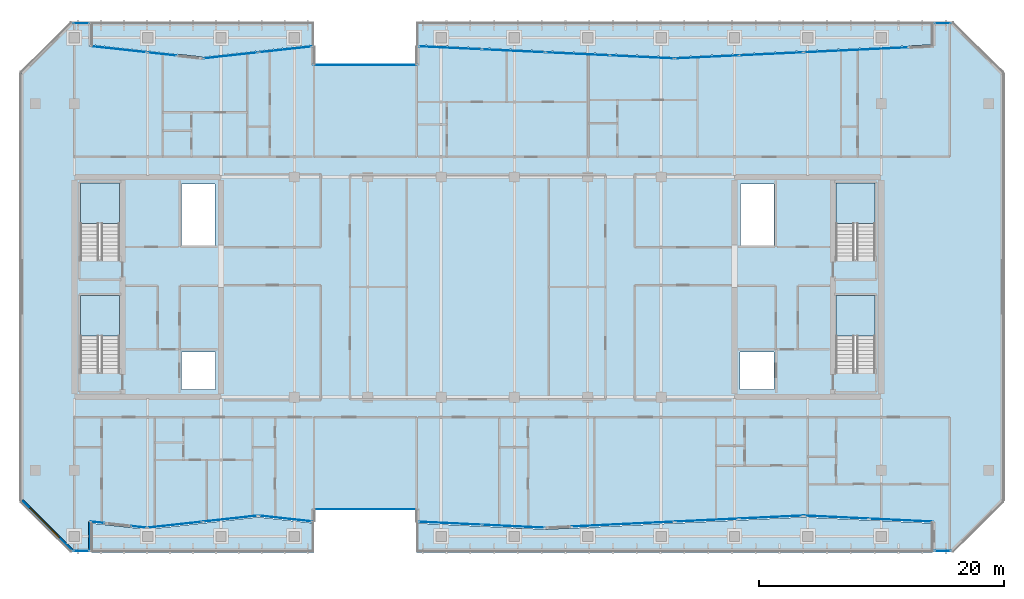
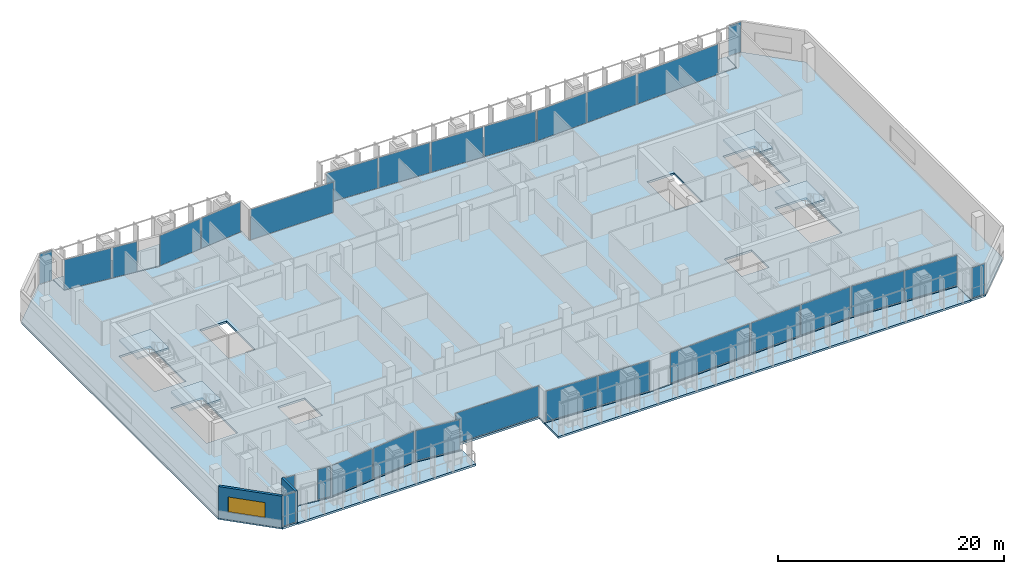
# One storey, part 17 of 28: 29 plates, 9 slabs, 2 walls, 1 window, 1 opening, 27 elements without a shape of their own.
"""IFC4 building model written with IfcOpenShell, lengths in metres."""

from ifc_helpers import new_model, si_unit, direction, frame, frame_2d, origin, origin_2d, place, context, subcontext, project, spatial, polyline, rectangle, outline, extrude, material, layer, layer_set, type_object, element, fill, aggregate, save


model = new_model("IFC4")

# Units and contexts
model_context = context("Model", 3, precision=1e-05, world=origin(), true_north=direction((0.0, 1.0)))
body_context = subcontext(model_context, "Body", "Model", "MODEL_VIEW")
ifc_project = project(units=[si_unit("LENGTHUNIT", "METRE"), si_unit("AREAUNIT", "SQUARE_METRE"), si_unit("VOLUMEUNIT", "CUBIC_METRE"), si_unit("PLANEANGLEUNIT", "RADIAN"), si_unit("MASSUNIT", "GRAM", prefix="KILO")], contexts=[model_context])

# Site, building, storey
site_placement = place(None, origin())
site = spatial("IfcSite", under=ifc_project, at=site_placement, CompositionType="ELEMENT")
building_placement = place(site_placement, origin())
building = spatial("IfcBuilding", under=site, at=building_placement, Name="Tanjung Sevakor Pilgrim Tower", CompositionType="ELEMENT")
storey_placement = place(building_placement, frame((0.0, 0.0, 158.39990234375)))
storey = spatial("IfcBuildingStorey", under=building, at=storey_placement, Name="L44", CompositionType="ELEMENT", Elevation=158.39990234375)

# Stair, slab
ifc_material_1 = material(Name="Concrete C40/50", Category="concrete")
stair_type = type_object("IfcStairType", Name="STAIR-ST-CR150", PredefinedType="HALF_TURN_STAIR", material=ifc_material_1)
stair_1_placement = place(storey_placement, origin())
stair_1 = element("IfcStair", 1, at=stair_1_placement, inside=storey, type_object=stair_type, Name="L44 West Core Exit Stair 1", PredefinedType="HALF_TURN_STAIR")
ifc_material_2 = material(Name="Concrete C40/50", Category="concrete")
ifc_layer_1 = layer(ifc_material_2, 0.199951171875)
ifc_layer_set_1 = layer_set([ifc_layer_1], Name="SL-LAND-200")
slab_type_1 = type_object("IfcSlabType", Name="SL-LAND-200", PredefinedType="LANDING", material=ifc_layer_set_1)
slab_1_placement = place(storey_placement, frame((0.0, 0.0, 1.614990234375)))
slab_1 = element("IfcSlab", 2, at=slab_1_placement, type_object=slab_type_1, Name="TS-W1 landing 1", PredefinedType="LANDING", context=body_context, shape_type="SweptSolid", body=[
    extrude(outline(polyline([(27.699951171875, 29.60009765625), (27.699951171875, 32.89990234375), (24.5, 32.89990234375), (24.5, 29.60009765625), (27.699951171875, 29.60009765625)])), origin(), (0.0, 0.0, 1.0), 0.2001953125),
])
aggregate(stair_1, [slab_1])

stair_2_placement = place(storey_placement, origin())
stair_2 = element("IfcStair", 3, at=stair_2_placement, inside=storey, type_object=stair_type, Name="L44 West Core Exit Stair 2", PredefinedType="HALF_TURN_STAIR")
slab_2_placement = place(storey_placement, frame((0.0, 0.0, 1.614990234375)))
slab_2 = element("IfcSlab", 4, at=slab_2_placement, type_object=slab_type_1, Name="TS-W2 landing 1", PredefinedType="LANDING", context=body_context, shape_type="SweptSolid", body=[
    extrude(outline(polyline([(27.699951171875, 38.800048828125), (27.699951171875, 42.10009765625), (24.5, 42.10009765625), (24.5, 38.800048828125), (27.699951171875, 38.800048828125)])), origin(), (0.0, 0.0, 1.0), 0.2001953125),
])
aggregate(stair_2, [slab_2])

stair_3_placement = place(storey_placement, origin())
stair_3 = element("IfcStair", 5, at=stair_3_placement, inside=storey, type_object=stair_type, Name="L44 East Core Exit Stair 1", PredefinedType="HALF_TURN_STAIR")
slab_3_placement = place(storey_placement, frame((0.0, 0.0, 1.614990234375)))
slab_3 = element("IfcSlab", 6, at=slab_3_placement, type_object=slab_type_1, Name="TS-E1 landing 1", PredefinedType="LANDING", context=body_context, shape_type="SweptSolid", body=[
    extrude(outline(polyline([(89.5, 29.60009765625), (89.5, 32.89990234375), (86.300048828125, 32.89990234375), (86.300048828125, 29.60009765625), (89.5, 29.60009765625)])), origin(), (0.0, 0.0, 1.0), 0.2001953125),
])
aggregate(stair_3, [slab_3])

stair_4_placement = place(storey_placement, origin())
stair_4 = element("IfcStair", 7, at=stair_4_placement, inside=storey, type_object=stair_type, Name="L44 East Core Exit Stair 2", PredefinedType="HALF_TURN_STAIR")
slab_4_placement = place(storey_placement, frame((0.0, 0.0, 1.614990234375)))
slab_4 = element("IfcSlab", 8, at=slab_4_placement, type_object=slab_type_1, Name="TS-E2 landing 1", PredefinedType="LANDING", context=body_context, shape_type="SweptSolid", body=[
    extrude(outline(polyline([(89.5, 38.800048828125), (89.5, 42.10009765625), (86.300048828125, 42.10009765625), (86.300048828125, 38.800048828125), (89.5, 38.800048828125)])), origin(), (0.0, 0.0, 1.0), 0.2001953125),
])
aggregate(stair_4, [slab_4])

# Slabs
ifc_material_3 = material(Name="Concrete C40/50", Category="concrete")
ifc_layer_2 = layer(ifc_material_3, 0.239990234375)
ifc_layer_set_2 = layer_set([ifc_layer_2], Name="SL-TER-240")
slab_type_2 = type_object("IfcSlabType", Name="SL-TER-240", PredefinedType="FLOOR", material=ifc_layer_set_2)
slab_5_placement = place(storey_placement, frame((0.0, 0.0, -0.219970703125)))
element("IfcSlab", 9, at=slab_5_placement, inside=storey, type_object=slab_type_2, Name="L44 Recessed S-Curve Terrace SW", PredefinedType="FLOOR", context=body_context, shape_type="SweptSolid", body=[
    extrude(outline(polyline([(25.39990234375, 11.89990234375), (43.60009765625, 11.89990234375), (43.60009765625, 14.280029296875), (39.050048828125, 14.780029296875), (34.5, 14.280029296875), (29.949951171875, 13.780029296875), (25.39990234375, 14.280029296875), (25.39990234375, 11.89990234375)])), origin(), (0.0, 0.0, 1.0), 0.219970703125),
])
slab_6_placement = place(storey_placement, frame((0.0, 0.0, -0.219970703125)))
element("IfcSlab", 10, at=slab_6_placement, inside=storey, type_object=slab_type_2, Name="L44 Recessed S-Curve Terrace NW", PredefinedType="FLOOR", context=body_context, shape_type="SweptSolid", body=[
    extrude(outline(polyline([(25.39990234375, 53.419921875), (29.949951171875, 52.919921875), (34.5, 52.419921875), (39.050048828125, 52.919921875), (43.60009765625, 53.419921875), (43.60009765625, 55.300048828125), (25.39990234375, 55.300048828125), (25.39990234375, 53.419921875)])), origin(), (0.0, 0.0, 1.0), 0.219970703125),
])
slab_7_placement = place(storey_placement, frame((0.0, 0.0, -0.219970703125)))
element("IfcSlab", 11, at=slab_7_placement, inside=storey, type_object=slab_type_2, Name="L44 Recessed S-Curve Terrace SE", PredefinedType="FLOOR", context=body_context, shape_type="SweptSolid", body=[
    extrude(outline(polyline([(52.0, 11.89990234375), (94.199951171875, 11.89990234375), (94.199951171875, 14.280029296875), (83.64990234375, 14.780029296875), (73.10009765625, 14.280029296875), (62.550048828125, 13.780029296875), (52.0, 14.280029296875), (52.0, 11.89990234375)])), origin(), (0.0, 0.0, 1.0), 0.219970703125),
])
slab_8_placement = place(storey_placement, frame((0.0, 0.0, -0.219970703125)))
element("IfcSlab", 12, at=slab_8_placement, inside=storey, type_object=slab_type_2, Name="L44 Recessed S-Curve Terrace NE", PredefinedType="FLOOR", context=body_context, shape_type="SweptSolid", body=[
    extrude(outline(polyline([(52.0, 53.419921875), (62.550048828125, 52.919921875), (73.10009765625, 52.419921875), (83.64990234375, 52.919921875), (94.199951171875, 53.419921875), (94.199951171875, 55.300048828125), (52.0, 55.300048828125), (52.0, 53.419921875)])), origin(), (0.0, 0.0, 1.0), 0.219970703125),
])
ifc_material_4 = material(Name="Concrete C40/50", Category="concrete")
ifc_layer_3 = layer(ifc_material_4, 0.219970703125)
ifc_layer_set_3 = layer_set([ifc_layer_3], Name="SL-TWR-220")
slab_type_3 = type_object("IfcSlabType", Name="SL-TWR-220", PredefinedType="FLOOR", material=ifc_layer_set_3)
slab_9_placement = place(storey_placement, frame((0.0, 0.0, -0.219970703125)))
element("IfcSlab", 13, at=slab_9_placement, inside=storey, type_object=slab_type_3, Name="L44 Floor Slab MAIN", PredefinedType="FLOOR", context=body_context, shape_type="SweptSolid", body=[
    extrude(outline(polyline([(23.846923828125, 11.97998046875), (25.320068359375, 11.97998046875), (25.39990234375, 14.360107421875), (29.949951171875, 13.860107421875), (34.5, 14.360107421875), (39.050048828125, 14.860107421875), (43.60009765625, 14.360107421875), (43.52001953125, 15.3798828125), (52.080078125, 15.3798828125), (52.0, 14.360107421875), (62.550048828125, 13.860107421875), (73.10009765625, 14.360107421875), (83.64990234375, 14.860107421875), (94.199951171875, 14.360107421875), (94.280029296875, 11.97998046875), (95.753173828125, 11.97998046875), (99.919921875, 16.14697265625), (99.919921875, 51.052978515625), (95.753173828125, 55.219970703125), (94.280029296875, 55.219970703125), (94.199951171875, 53.340087890625), (83.64990234375, 52.840087890625), (73.10009765625, 52.340087890625), (62.550048828125, 52.840087890625), (52.0, 53.340087890625), (52.080078125, 51.820068359375), (43.52001953125, 51.820068359375), (43.60009765625, 53.340087890625), (39.050048828125, 52.840087890625), (34.5, 52.340087890625), (29.949951171875, 52.840087890625), (25.39990234375, 53.340087890625), (25.320068359375, 55.219970703125), (23.846923828125, 55.219970703125), (19.679931640625, 51.052978515625), (19.679931640625, 16.14697265625), (23.846923828125, 11.97998046875)]), holes=[polyline([(27.699951171875, 26.60009765625), (27.699951171875, 32.89990234375), (24.5, 32.89990234375), (24.5, 26.60009765625), (27.699951171875, 26.60009765625)]), polyline([(27.699951171875, 35.800048828125), (27.699951171875, 42.10009765625), (24.5, 42.10009765625), (24.5, 35.800048828125), (27.699951171875, 35.800048828125)]), polyline([(89.5, 26.60009765625), (89.5, 32.89990234375), (86.300048828125, 32.89990234375), (86.300048828125, 26.60009765625), (89.5, 26.60009765625)]), polyline([(89.5, 35.800048828125), (89.5, 42.10009765625), (86.300048828125, 42.10009765625), (86.300048828125, 35.800048828125), (89.5, 35.800048828125)]), polyline([(32.75, 25.199951171875), (35.550048828125, 25.199951171875), (35.550048828125, 28.300048828125), (32.75, 28.300048828125), (32.75, 25.199951171875)]), polyline([(32.75, 37.0), (35.5, 37.0), (35.5, 42.050048828125), (32.75, 42.050048828125), (32.75, 37.0)]), polyline([(78.449951171875, 25.199951171875), (81.25, 25.199951171875), (81.25, 28.300048828125), (78.449951171875, 28.300048828125), (78.449951171875, 25.199951171875)]), polyline([(78.5, 37.0), (81.25, 37.0), (81.25, 42.050048828125), (78.5, 42.050048828125), (78.5, 37.0)])]), origin(), (0.0, 0.0, 1.0), 0.219970703125),
])

# Curtain wall, plate
ifc_material_5 = material(Name="Aluminium 6063-T6 and Low-E Glass", Category="aluminium")
ifc_layer_4 = layer(ifc_material_5, 0.179931640625)
ifc_layer_set_4 = layer_set([ifc_layer_4], Name="CW-SYS-CLEFT")
curtain_wall_type_1 = type_object("IfcCurtainWallType", Name="CW-SYS-CLEFT", PredefinedType="NOTDEFINED", material=ifc_layer_set_4)
curtain_wall_1_placement = place(storey_placement, origin())
curtain_wall_1 = element("IfcCurtainWall", 14, at=curtain_wall_1_placement, inside=storey, type_object=curtain_wall_type_1, Name="L44 Curtain Wall CW-CLF-L44-7", PredefinedType="NOTDEFINED")
ifc_material_6 = material(Name="Laminated Low-E Double Glazing", Category="glass")
ifc_layer_5 = layer(ifc_material_6, 0.028076171875)
ifc_layer_set_5 = layer_set([ifc_layer_5], Name="TYPE-CWP-GLZ1")
plate_type_1 = type_object("IfcPlateType", Name="TYPE-CWP-GLZ1", PredefinedType="CURTAIN_PANEL", material=ifc_layer_set_5)
plate_1_placement = place(storey_placement, frame((47.800048828125, 15.425048828125, 0.06494140625), z_axis=(0.0, 0.0, 1.0), x_axis=(1.0, 0.0, 0.0)))
plate_1 = element("IfcPlate", 15, at=plate_1_placement, type_object=plate_type_1, Name="CW-CLF panel 1.1", PredefinedType="CURTAIN_PANEL", context=body_context, shape_type="SweptSolid", body=[
    extrude(rectangle(XDim=8.5, YDim=0.028076171875, at=origin_2d()), origin(), (0.0, 0.0, 1.0), 3.280029296875),
])
aggregate(curtain_wall_1, [plate_1])

curtain_wall_2_placement = place(storey_placement, origin())
curtain_wall_2 = element("IfcCurtainWall", 16, at=curtain_wall_2_placement, inside=storey, type_object=curtain_wall_type_1, Name="L44 Curtain Wall CW-CLF-L44-25", PredefinedType="NOTDEFINED")
plate_2_placement = place(storey_placement, frame((47.800048828125, 51.77490234375, 0.06494140625), z_axis=(0.0, 0.0, 1.0), x_axis=(-1.0, 0.0, 0.0)))
plate_2 = element("IfcPlate", 17, at=plate_2_placement, type_object=plate_type_1, Name="CW-CLF panel 1.1", PredefinedType="CURTAIN_PANEL", context=body_context, shape_type="SweptSolid", body=[
    extrude(rectangle(XDim=8.5, YDim=0.028076171875, at=origin_2d()), origin(), (0.0, 0.0, 1.0), 3.280029296875),
])
aggregate(curtain_wall_2, [plate_2])

ifc_material_7 = material(Name="Aluminium 6063-T6 and Low-E Glass", Category="aluminium")
ifc_layer_6 = layer(ifc_material_7, 0.199951171875)
ifc_layer_set_6 = layer_set([ifc_layer_6], Name="CW-SYS-PRAY")
curtain_wall_type_2 = type_object("IfcCurtainWallType", Name="CW-SYS-PRAY", PredefinedType="NOTDEFINED", material=ifc_layer_set_6)
curtain_wall_3_placement = place(storey_placement, origin())
curtain_wall_3 = element("IfcCurtainWall", 18, at=curtain_wall_3_placement, inside=storey, type_object=curtain_wall_type_2, Name="L44 Curtain Wall CW-PRY-L44-0", PredefinedType="NOTDEFINED")
ifc_material_8 = material(Name="Solar-Control Low-E Acoustic Glazing", Category="glass")
ifc_layer_7 = layer(ifc_material_8, 0.031982421875)
ifc_layer_set_7 = layer_set([ifc_layer_7], Name="TYPE-CWP-GLZ2")
plate_type_2 = type_object("IfcPlateType", Name="TYPE-CWP-GLZ2", PredefinedType="CURTAIN_PANEL", material=ifc_layer_set_7)
plate_3_placement = place(storey_placement, frame((24.5634765625, 12.02490234375, 0.0751953125), z_axis=(0.0, 0.0, 1.0), x_axis=(1.0, 0.0, 0.0)))
plate_3 = element("IfcPlate", 19, at=plate_3_placement, type_object=plate_type_2, Name="CW-PRY panel 1.1", PredefinedType="CURTAIN_PANEL", context=body_context, shape_type="SweptSolid", body=[
    extrude(rectangle(XDim=1.273193359375, YDim=0.031982421875, at=origin_2d()), origin(), (0.0, 0.0, 1.0), 3.260009765625),
])
aggregate(curtain_wall_3, [plate_3])

curtain_wall_4_placement = place(storey_placement, origin())
curtain_wall_4 = element("IfcCurtainWall", 20, at=curtain_wall_4_placement, inside=storey, type_object=curtain_wall_type_2, Name="L44 Curtain Wall CW-PRY-L44-2A", PredefinedType="NOTDEFINED")
plate_4_placement = place(storey_placement, frame((25.896240234375, 14.351318359375, 0.0751953125), z_axis=(0.0, 0.0, 1.0), x_axis=(0.994019562498, -0.109202149119, 0.0)))
plate_4 = element("IfcPlate", 21, at=plate_4_placement, type_object=plate_type_2, Name="CW-PRY panel 1.1", PredefinedType="CURTAIN_PANEL", context=body_context, shape_type="SweptSolid", body=[
    extrude(rectangle(XDim=1.099853515625, YDim=0.031982421875, at=origin_2d()), origin(), (0.0, 0.0, 1.0), 3.260009765625),
])
aggregate(curtain_wall_4, [plate_4])

curtain_wall_5_placement = place(storey_placement, origin())
curtain_wall_5 = element("IfcCurtainWall", 22, at=curtain_wall_5_placement, inside=storey, type_object=curtain_wall_type_2, Name="L44 Curtain Wall CW-PRY-L44-2B", PredefinedType="NOTDEFINED")
plate_5_placement = place(storey_placement, frame((29.257568359375, 13.98193359375, 0.0751953125), z_axis=(0.0, 0.0, 1.0), x_axis=(0.994014337635, -0.109249698291, 0.0)))
plate_5 = element("IfcPlate", 23, at=plate_5_placement, type_object=plate_type_2, Name="CW-PRY panel 1.1", PredefinedType="CURTAIN_PANEL", context=body_context, shape_type="SweptSolid", body=[
    extrude(rectangle(XDim=1.2431640625, YDim=0.031982421875, at=origin_2d()), origin(), (0.0, 0.0, 1.0), 3.260009765625),
])
aggregate(curtain_wall_5, [plate_5])

curtain_wall_6_placement = place(storey_placement, origin())
curtain_wall_6 = element("IfcCurtainWall", 24, at=curtain_wall_6_placement, inside=storey, type_object=curtain_wall_type_2, Name="L44 Curtain Wall CW-PRY-L44-3", PredefinedType="NOTDEFINED")
plate_6_placement = place(storey_placement, frame((32.21826171875, 14.155029296875, 0.0751953125), z_axis=(0.0, 0.0, 1.0), x_axis=(0.994016091278, 0.109233741488, 0.0)))
plate_6 = element("IfcPlate", 25, at=plate_6_placement, type_object=plate_type_2, Name="CW-PRY panel 1.1", PredefinedType="CURTAIN_PANEL", context=body_context, shape_type="SweptSolid", body=[
    extrude(rectangle(XDim=4.41357421875, YDim=0.031982421875, at=origin_2d()), origin(), (0.0, 0.0, 1.0), 3.260009765625),
])
aggregate(curtain_wall_6, [plate_6])

curtain_wall_7_placement = place(storey_placement, origin())
curtain_wall_7 = element("IfcCurtainWall", 26, at=curtain_wall_7_placement, inside=storey, type_object=curtain_wall_type_2, Name="L44 Curtain Wall CW-PRY-L44-4", PredefinedType="NOTDEFINED")
plate_7_placement = place(storey_placement, frame((36.76806640625, 14.655029296875, 0.0751953125), z_axis=(0.0, 0.0, 1.0), x_axis=(0.994016351948, 0.109231369397, 0.0)))
plate_7 = element("IfcPlate", 27, at=plate_7_placement, type_object=plate_type_2, Name="CW-PRY panel 1.1", PredefinedType="CURTAIN_PANEL", context=body_context, shape_type="SweptSolid", body=[
    extrude(rectangle(XDim=4.441162109375, YDim=0.031982421875, at=origin_2d()), origin(), (0.0, 0.0, 1.0), 3.260009765625),
])
aggregate(curtain_wall_7, [plate_7])

curtain_wall_8_placement = place(storey_placement, origin())
curtain_wall_8 = element("IfcCurtainWall", 28, at=curtain_wall_8_placement, inside=storey, type_object=curtain_wall_type_2, Name="L44 Curtain Wall CW-PRY-L44-5", PredefinedType="NOTDEFINED")
plate_8_placement = place(storey_placement, frame((41.262451171875, 14.66259765625, 0.0751953125), z_axis=(0.0, 0.0, 1.0), x_axis=(0.994015337473, -0.109240600824, 0.0)))
plate_8 = element("IfcPlate", 29, at=plate_8_placement, type_object=plate_type_2, Name="CW-PRY panel 1.1", PredefinedType="CURTAIN_PANEL", context=body_context, shape_type="SweptSolid", body=[
    extrude(rectangle(XDim=4.3017578125, YDim=0.031982421875, at=origin_2d()), origin(), (0.0, 0.0, 1.0), 3.260009765625),
])
aggregate(curtain_wall_8, [plate_8])

# Curtain wall, plates
curtain_wall_9_placement = place(storey_placement, origin())
curtain_wall_9 = element("IfcCurtainWall", 30, at=curtain_wall_9_placement, inside=storey, type_object=curtain_wall_type_2, Name="L44 Curtain Wall CW-PRY-L44-9", PredefinedType="NOTDEFINED")
plate_9_placement = place(storey_placement, frame((54.75, 14.27490234375, 0.0751953125), z_axis=(0.0, 0.0, 1.0), x_axis=(0.998878713344, -0.047342539306, 0.0)))
plate_9 = element("IfcPlate", 31, at=plate_9_placement, type_object=plate_type_2, Name="CW-PRY panel 1.1", PredefinedType="CURTAIN_PANEL", context=body_context, shape_type="SweptSolid", body=[
    extrude(rectangle(XDim=5.10595703125, YDim=0.031982421875, at=origin_2d()), origin(), (0.0, 0.0, 1.0), 3.260009765625),
])
plate_10_placement = place(storey_placement, frame((59.925048828125, 14.029541015625, 0.0751953125), z_axis=(0.0, 0.0, 1.0), x_axis=(0.998878713344, -0.047342539306, 0.0)))
plate_10 = element("IfcPlate", 32, at=plate_10_placement, type_object=plate_type_2, Name="CW-PRY panel 2.1", PredefinedType="CURTAIN_PANEL", context=body_context, shape_type="SweptSolid", body=[
    extrude(rectangle(XDim=5.10595703125, YDim=0.031982421875, at=origin_2d()), origin(), (0.0, 0.0, 1.0), 3.260009765625),
])
aggregate(curtain_wall_9, [plate_9, plate_10])

# Curtain wall, plate
curtain_wall_10_placement = place(storey_placement, origin())
curtain_wall_10 = element("IfcCurtainWall", 33, at=curtain_wall_10_placement, inside=storey, type_object=curtain_wall_type_2, Name="L44 Curtain Wall CW-PRY-L44-10B", PredefinedType="NOTDEFINED")
plate_11_placement = place(storey_placement, frame((68.850830078125, 14.203857421875, 0.0751953125), z_axis=(0.0, 0.0, 1.0), x_axis=(0.998878260928, 0.047352083849, 0.0)))
plate_11 = element("IfcPlate", 34, at=plate_11_placement, type_object=plate_type_2, Name="CW-PRY panel 1.1", PredefinedType="CURTAIN_PANEL", context=body_context, shape_type="SweptSolid", body=[
    extrude(rectangle(XDim=8.345947265625, YDim=0.031982421875, at=origin_2d()), origin(), (0.0, 0.0, 1.0), 3.260009765625),
])
aggregate(curtain_wall_10, [plate_11])

# Curtain wall, plates
curtain_wall_11_placement = place(storey_placement, origin())
curtain_wall_11 = element("IfcCurtainWall", 35, at=curtain_wall_11_placement, inside=storey, type_object=curtain_wall_type_2, Name="L44 Curtain Wall CW-PRY-L44-11", PredefinedType="NOTDEFINED")
plate_12_placement = place(storey_placement, frame((75.751708984375, 14.53076171875, 0.0751953125), z_axis=(0.0, 0.0, 1.0), x_axis=(0.998879179109, 0.04733271113, 0.0)))
plate_12 = element("IfcPlate", 36, at=plate_12_placement, type_object=plate_type_2, Name="CW-PRY panel 1.1", PredefinedType="CURTAIN_PANEL", context=body_context, shape_type="SweptSolid", body=[
    extrude(rectangle(XDim=5.17138671875, YDim=0.031982421875, at=origin_2d()), origin(), (0.0, 0.0, 1.0), 3.260009765625),
])
plate_13_placement = place(storey_placement, frame((80.9921875, 14.779052734375, 0.0751953125), z_axis=(0.0, 0.0, 1.0), x_axis=(0.998879179109, 0.04733271113, 0.0)))
plate_13 = element("IfcPlate", 37, at=plate_13_placement, type_object=plate_type_2, Name="CW-PRY panel 2.1", PredefinedType="CURTAIN_PANEL", context=body_context, shape_type="SweptSolid", body=[
    extrude(rectangle(XDim=5.17138671875, YDim=0.031982421875, at=origin_2d()), origin(), (0.0, 0.0, 1.0), 3.260009765625),
])
aggregate(curtain_wall_11, [plate_12, plate_13])

curtain_wall_12_placement = place(storey_placement, origin())
curtain_wall_12 = element("IfcCurtainWall", 38, at=curtain_wall_12_placement, inside=storey, type_object=curtain_wall_type_2, Name="L44 Curtain Wall CW-PRY-L44-12", PredefinedType="NOTDEFINED")
plate_14_placement = place(storey_placement, frame((86.33740234375, 14.77783203125, 0.0751953125), z_axis=(0.0, 0.0, 1.0), x_axis=(0.998878929807, -0.04733797195, 0.0)))
plate_14 = element("IfcPlate", 39, at=plate_14_placement, type_object=plate_type_2, Name="CW-PRY panel 1.1", PredefinedType="CURTAIN_PANEL", context=body_context, shape_type="SweptSolid", body=[
    extrude(rectangle(XDim=5.23095703125, YDim=0.031982421875, at=origin_2d()), origin(), (0.0, 0.0, 1.0), 3.260009765625),
])
plate_15_placement = place(storey_placement, frame((91.637451171875, 14.526611328125, 0.0751953125), z_axis=(0.0, 0.0, 1.0), x_axis=(0.998878929807, -0.04733797195, 0.0)))
plate_15 = element("IfcPlate", 40, at=plate_15_placement, type_object=plate_type_2, Name="CW-PRY panel 2.1", PredefinedType="CURTAIN_PANEL", context=body_context, shape_type="SweptSolid", body=[
    extrude(rectangle(XDim=5.23095703125, YDim=0.031982421875, at=origin_2d()), origin(), (0.0, 0.0, 1.0), 3.260009765625),
])
aggregate(curtain_wall_12, [plate_14, plate_15])

# Curtain wall, plate
curtain_wall_13_placement = place(storey_placement, origin())
curtain_wall_13 = element("IfcCurtainWall", 41, at=curtain_wall_13_placement, inside=storey, type_object=curtain_wall_type_2, Name="L44 Curtain Wall CW-PRY-L44-14", PredefinedType="NOTDEFINED")
plate_16_placement = place(storey_placement, frame((95.03662109375, 12.02490234375, 0.0751953125), z_axis=(0.0, 0.0, 1.0), x_axis=(1.0, 0.0, 0.0)))
plate_16 = element("IfcPlate", 42, at=plate_16_placement, type_object=plate_type_2, Name="CW-PRY panel 1.1", PredefinedType="CURTAIN_PANEL", context=body_context, shape_type="SweptSolid", body=[
    extrude(rectangle(XDim=1.273193359375, YDim=0.031982421875, at=origin_2d()), origin(), (0.0, 0.0, 1.0), 3.260009765625),
])
aggregate(curtain_wall_13, [plate_16])

curtain_wall_14_placement = place(storey_placement, origin())
curtain_wall_14 = element("IfcCurtainWall", 43, at=curtain_wall_14_placement, inside=storey, type_object=curtain_wall_type_2, Name="L44 Curtain Wall CW-PRY-L44-18", PredefinedType="NOTDEFINED")
plate_17_placement = place(storey_placement, frame((95.03662109375, 55.175048828125, 0.0751953125), z_axis=(0.0, 0.0, 1.0), x_axis=(-1.0, 0.0, 0.0)))
plate_17 = element("IfcPlate", 44, at=plate_17_placement, type_object=plate_type_2, Name="CW-PRY panel 1.1", PredefinedType="CURTAIN_PANEL", context=body_context, shape_type="SweptSolid", body=[
    extrude(rectangle(XDim=1.273193359375, YDim=0.031982421875, at=origin_2d()), origin(), (0.0, 0.0, 1.0), 3.260009765625),
])
aggregate(curtain_wall_14, [plate_17])

curtain_wall_15_placement = place(storey_placement, origin())
curtain_wall_15 = element("IfcCurtainWall", 45, at=curtain_wall_15_placement, inside=storey, type_object=curtain_wall_type_2, Name="L44 Curtain Wall CW-PRY-L44-20B", PredefinedType="NOTDEFINED")
plate_18_placement = place(storey_placement, frame((87.961669921875, 52.999267578125, 0.0751953125), z_axis=(0.0, 0.0, 1.0), x_axis=(-0.998878401692, -0.047349114381, 0.0)))
plate_18 = element("IfcPlate", 46, at=plate_18_placement, type_object=plate_type_2, Name="CW-PRY panel 1.1", PredefinedType="CURTAIN_PANEL", context=body_context, shape_type="SweptSolid", body=[
    extrude(rectangle(XDim=8.47119140625, YDim=0.031982421875, at=origin_2d()), origin(), (0.0, 0.0, 1.0), 3.260009765625),
])
aggregate(curtain_wall_15, [plate_18])

# Curtain wall, plates
curtain_wall_16_placement = place(storey_placement, origin())
curtain_wall_16 = element("IfcCurtainWall", 47, at=curtain_wall_16_placement, inside=storey, type_object=curtain_wall_type_2, Name="L44 Curtain Wall CW-PRY-L44-21", PredefinedType="NOTDEFINED")
plate_19_placement = place(storey_placement, frame((80.998291015625, 52.669189453125, 0.0751953125), z_axis=(0.0, 0.0, 1.0), x_axis=(-0.998879179109, -0.04733271113, 0.0)))
plate_19 = element("IfcPlate", 48, at=plate_19_placement, type_object=plate_type_2, Name="CW-PRY panel 1.1", PredefinedType="CURTAIN_PANEL", context=body_context, shape_type="SweptSolid", body=[
    extrude(rectangle(XDim=5.17138671875, YDim=0.031982421875, at=origin_2d()), origin(), (0.0, 0.0, 1.0), 3.260009765625),
])
plate_20_placement = place(storey_placement, frame((75.7578125, 52.4208984375, 0.0751953125), z_axis=(0.0, 0.0, 1.0), x_axis=(-0.998879179109, -0.04733271113, 0.0)))
plate_20 = element("IfcPlate", 49, at=plate_20_placement, type_object=plate_type_2, Name="CW-PRY panel 2.1", PredefinedType="CURTAIN_PANEL", context=body_context, shape_type="SweptSolid", body=[
    extrude(rectangle(XDim=5.17138671875, YDim=0.031982421875, at=origin_2d()), origin(), (0.0, 0.0, 1.0), 3.260009765625),
])
aggregate(curtain_wall_16, [plate_19, plate_20])

curtain_wall_17_placement = place(storey_placement, origin())
curtain_wall_17 = element("IfcCurtainWall", 50, at=curtain_wall_17_placement, inside=storey, type_object=curtain_wall_type_2, Name="L44 Curtain Wall CW-PRY-L44-22", PredefinedType="NOTDEFINED")
plate_21_placement = place(storey_placement, frame((70.4423828125, 52.4208984375, 0.0751953125), z_axis=(0.0, 0.0, 1.0), x_axis=(-0.998879179109, 0.04733271113, 0.0)))
plate_21 = element("IfcPlate", 51, at=plate_21_placement, type_object=plate_type_2, Name="CW-PRY panel 1.1", PredefinedType="CURTAIN_PANEL", context=body_context, shape_type="SweptSolid", body=[
    extrude(rectangle(XDim=5.17138671875, YDim=0.031982421875, at=origin_2d()), origin(), (0.0, 0.0, 1.0), 3.260009765625),
])
plate_22_placement = place(storey_placement, frame((65.201904296875, 52.669189453125, 0.0751953125), z_axis=(0.0, 0.0, 1.0), x_axis=(-0.998879179109, 0.04733271113, 0.0)))
plate_22 = element("IfcPlate", 52, at=plate_22_placement, type_object=plate_type_2, Name="CW-PRY panel 2.1", PredefinedType="CURTAIN_PANEL", context=body_context, shape_type="SweptSolid", body=[
    extrude(rectangle(XDim=5.17138671875, YDim=0.031982421875, at=origin_2d()), origin(), (0.0, 0.0, 1.0), 3.260009765625),
])
aggregate(curtain_wall_17, [plate_21, plate_22])

curtain_wall_18_placement = place(storey_placement, origin())
curtain_wall_18 = element("IfcCurtainWall", 53, at=curtain_wall_18_placement, inside=storey, type_object=curtain_wall_type_2, Name="L44 Curtain Wall CW-PRY-L44-23", PredefinedType="NOTDEFINED")
plate_23_placement = place(storey_placement, frame((59.920654296875, 52.91943359375, 0.0751953125), z_axis=(0.0, 0.0, 1.0), x_axis=(-0.998878805672, 0.047340591245, 0.0)))
plate_23 = element("IfcPlate", 54, at=plate_23_placement, type_object=plate_type_2, Name="CW-PRY panel 1.1", PredefinedType="CURTAIN_PANEL", context=body_context, shape_type="SweptSolid", body=[
    extrude(rectangle(XDim=5.102783203125, YDim=0.031982421875, at=origin_2d()), origin(), (0.0, 0.0, 1.0), 3.260009765625),
])
plate_24_placement = place(storey_placement, frame((54.74853515625, 53.16455078125, 0.0751953125), z_axis=(0.0, 0.0, 1.0), x_axis=(-0.998878805672, 0.047340591245, 0.0)))
plate_24 = element("IfcPlate", 55, at=plate_24_placement, type_object=plate_type_2, Name="CW-PRY panel 2.1", PredefinedType="CURTAIN_PANEL", context=body_context, shape_type="SweptSolid", body=[
    extrude(rectangle(XDim=5.102783203125, YDim=0.031982421875, at=origin_2d()), origin(), (0.0, 0.0, 1.0), 3.260009765625),
])
aggregate(curtain_wall_18, [plate_23, plate_24])

# Curtain wall, plate
curtain_wall_19_placement = place(storey_placement, origin())
curtain_wall_19 = element("IfcCurtainWall", 56, at=curtain_wall_19_placement, inside=storey, type_object=curtain_wall_type_2, Name="L44 Curtain Wall CW-PRY-L44-27", PredefinedType="NOTDEFINED")
plate_25_placement = place(storey_placement, frame((41.269287109375, 53.0380859375, 0.0751953125), z_axis=(0.0, 0.0, 1.0), x_axis=(-0.994015200284, -0.109241849142, 0.0)))
plate_25 = element("IfcPlate", 57, at=plate_25_placement, type_object=plate_type_2, Name="CW-PRY panel 1.1", PredefinedType="CURTAIN_PANEL", context=body_context, shape_type="SweptSolid", body=[
    extrude(rectangle(XDim=4.287841796875, YDim=0.031982421875, at=origin_2d()), origin(), (0.0, 0.0, 1.0), 3.260009765625),
])
aggregate(curtain_wall_19, [plate_25])

curtain_wall_20_placement = place(storey_placement, origin())
curtain_wall_20 = element("IfcCurtainWall", 58, at=curtain_wall_20_placement, inside=storey, type_object=curtain_wall_type_2, Name="L44 Curtain Wall CW-PRY-L44-28", PredefinedType="NOTDEFINED")
plate_26_placement = place(storey_placement, frame((36.78173828125, 52.544921875, 0.0751953125), z_axis=(0.0, 0.0, 1.0), x_axis=(-0.994016351948, -0.109231369397, 0.0)))
plate_26 = element("IfcPlate", 59, at=plate_26_placement, type_object=plate_type_2, Name="CW-PRY panel 1.1", PredefinedType="CURTAIN_PANEL", context=body_context, shape_type="SweptSolid", body=[
    extrude(rectangle(XDim=4.441162109375, YDim=0.031982421875, at=origin_2d()), origin(), (0.0, 0.0, 1.0), 3.260009765625),
])
aggregate(curtain_wall_20, [plate_26])

curtain_wall_21_placement = place(storey_placement, origin())
curtain_wall_21 = element("IfcCurtainWall", 60, at=curtain_wall_21_placement, inside=storey, type_object=curtain_wall_type_2, Name="L44 Curtain Wall CW-PRY-L44-29B", PredefinedType="NOTDEFINED")
plate_27_placement = place(storey_placement, frame((31.1943359375, 52.657470703125, 0.0751953125), z_axis=(0.0, 0.0, 1.0), x_axis=(-0.994015514891, 0.109238986427, 0.0)))
plate_27 = element("IfcPlate", 61, at=plate_27_placement, type_object=plate_type_2, Name="CW-PRY panel 1.1", PredefinedType="CURTAIN_PANEL", context=body_context, shape_type="SweptSolid", body=[
    extrude(rectangle(XDim=2.381103515625, YDim=0.031982421875, at=origin_2d()), origin(), (0.0, 0.0, 1.0), 3.260009765625),
])
aggregate(curtain_wall_21, [plate_27])

curtain_wall_22_placement = place(storey_placement, origin())
curtain_wall_22 = element("IfcCurtainWall", 62, at=curtain_wall_22_placement, inside=storey, type_object=curtain_wall_type_2, Name="L44 Curtain Wall CW-PRY-L44-30", PredefinedType="NOTDEFINED")
plate_28_placement = place(storey_placement, frame((27.605712890625, 53.0517578125, 0.0751953125), z_axis=(0.0, 0.0, 1.0), x_axis=(-0.99401461891, 0.109247139061, 0.0)))
plate_28 = element("IfcPlate", 63, at=plate_28_placement, type_object=plate_type_2, Name="CW-PRY panel 1.1", PredefinedType="CURTAIN_PANEL", context=body_context, shape_type="SweptSolid", body=[
    extrude(rectangle(XDim=4.539306640625, YDim=0.031982421875, at=origin_2d()), origin(), (0.0, 0.0, 1.0), 3.260009765625),
])
aggregate(curtain_wall_22, [plate_28])

curtain_wall_23_placement = place(storey_placement, origin())
curtain_wall_23 = element("IfcCurtainWall", 64, at=curtain_wall_23_placement, inside=storey, type_object=curtain_wall_type_2, Name="L44 Curtain Wall CW-PRY-L44-32", PredefinedType="NOTDEFINED")
plate_29_placement = place(storey_placement, frame((24.5634765625, 55.175048828125, 0.0751953125), z_axis=(0.0, 0.0, 1.0), x_axis=(-1.0, 0.0, 0.0)))
plate_29 = element("IfcPlate", 65, at=plate_29_placement, type_object=plate_type_2, Name="CW-PRY panel 1.1", PredefinedType="CURTAIN_PANEL", context=body_context, shape_type="SweptSolid", body=[
    extrude(rectangle(XDim=1.273193359375, YDim=0.031982421875, at=origin_2d()), origin(), (0.0, 0.0, 1.0), 3.260009765625),
])
aggregate(curtain_wall_23, [plate_29])

# Wall
ifc_material_9 = material(Name="Precast concrete C45/55", Category="concrete")
ifc_layer_8 = layer(ifc_material_9, 0.25)
ifc_layer_set_8 = layer_set([ifc_layer_8], Name="WT-EW-STN3")
wall_type = type_object("IfcWallType", Name="WT-EW-STN3", PredefinedType="SOLIDWALL", material=ifc_layer_set_8)
wall_1_placement = place(storey_placement, frame((25.27490234375, 12.02490234375, 0.0), z_axis=(0.0, 0.0, 1.0), x_axis=(0.0, 1.0, 0.0)))
element("IfcWall", 66, at=wall_1_placement, inside=storey, type_object=wall_type, Name="L44 MAIN Exterior Wall 2", PredefinedType="SOLIDWALL", context=body_context, shape_type="SweptSolid", body=[
    extrude(rectangle(XDim=2.39453125, YDim=0.25, at=frame_2d((1.197265625, 0.0))), origin(), (0.0, 0.0, 1.0), 3.409912109375),
])

# Wall, opening, window
wall_2_placement = place(storey_placement, frame((19.72509765625, 16.15185546875, 0.0), z_axis=(0.0, 0.0, 1.0), x_axis=(0.70708586489, -0.707127696864, 0.0)))
wall_2 = element("IfcWall", 67, at=wall_2_placement, inside=storey, type_object=wall_type, Name="L44 MAIN Sculpted Corner Wall 35", PredefinedType="SOLIDWALL", context=body_context, shape_type="SweptSolid", body=[
    extrude(rectangle(XDim=5.836181640625, YDim=0.25, at=frame_2d((2.91796875, 0.0))), origin(), (0.0, 0.0, 1.0), 3.409912109375),
])
opening_placement = place(wall_2_placement, frame((0.898193359375, 0.0, 0.780029296875)))
opening = element("IfcOpeningElement", 68, at=opening_placement, cuts=wall_2, Name="Opening WN-CHM-1660", PredefinedType="OPENING", context=body_context, shape_type="SweptSolid", body=[
    extrude(rectangle(XDim=3.39990234375, YDim=1.659912109375, at=frame_2d((1.699951171875, 0.830078125))), frame((0.0, 0.135009765625, 0.0), z_axis=(0.0, -1.0, 0.0), x_axis=(1.0, 0.0, 0.0)), (0.0, 0.0, 1.0), 0.27001953125),
])
ifc_material_10 = material(Name="Thermally Broken Aluminium and Low-E Glass", Category="aluminium")
window_type = type_object("IfcWindowType", Name="WTYP-WN-CHM-1660", PartitioningType="DOUBLE_PANEL_VERTICAL", PredefinedType="WINDOW", material=ifc_material_10)
window_placement = place(opening_placement, origin())
window = element("IfcWindow", 69, at=window_placement, inside=storey, type_object=window_type, Name="L44 Facade Window 01", OverallHeight=1.659912109375, OverallWidth=3.39990234375, PartitioningType="SINGLE_PANEL", PredefinedType="WINDOW", context=body_context, shape_type="SweptSolid", body=[
    extrude(rectangle(XDim=3.39990234375, YDim=1.659912109375, at=frame_2d((1.699951171875, 0.830078125))), frame((0.0, 0.030029296875, 0.0), z_axis=(0.0, -1.0, 0.0), x_axis=(1.0, 0.0, 0.0)), (0.0, 0.0, 1.0), 0.06005859375),
])
fill(opening, window)

save(model, "model.ifc")
